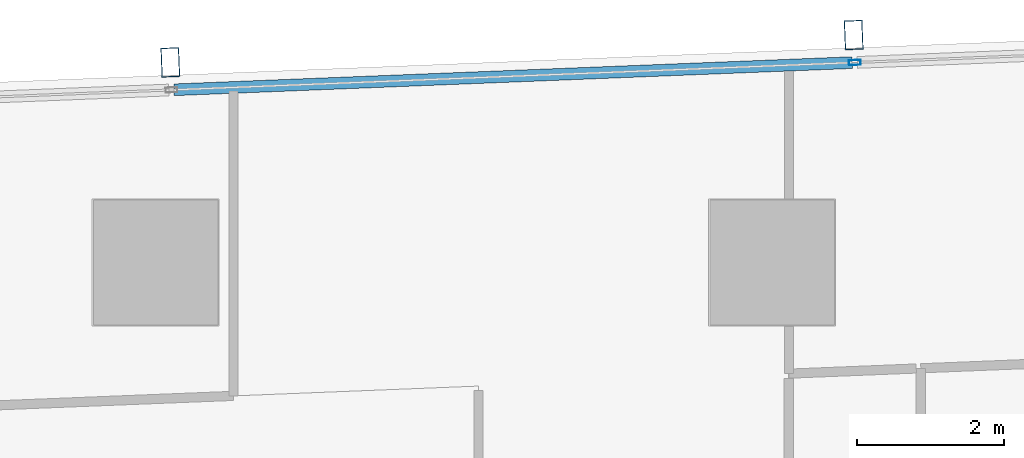
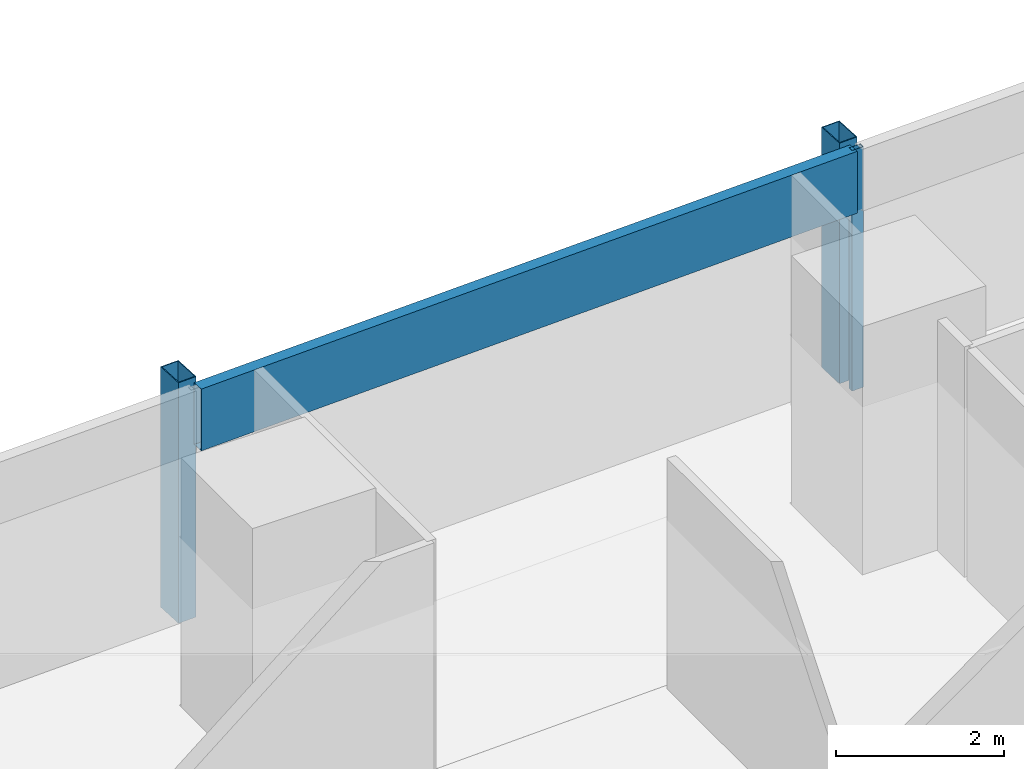
# One storey, part 17 of 40: 4 members, 1 element without a shape of its own.
"""IFC4 building model written with IfcOpenShell, lengths in metres."""

from ifc_helpers import new_model, si_unit, direction, frame, origin, origin_2d, place, context, subcontext, project, spatial, hollow_rectangle, extrude, material, material_profile, profile_set, type_object, element, aggregate, save


model = new_model("IFC4")

# Units and contexts
model_context = context("Model", 3, precision=1e-05, world=origin(), true_north=direction((0.0, 1.0)))
body_context = subcontext(model_context, "Body", "Model", "MODEL_VIEW")
ifc_project = project(units=[si_unit("LENGTHUNIT", "METRE"), si_unit("AREAUNIT", "SQUARE_METRE"), si_unit("VOLUMEUNIT", "CUBIC_METRE"), si_unit("PLANEANGLEUNIT", "RADIAN"), si_unit("MASSUNIT", "GRAM", prefix="KILO")], contexts=[model_context])

# Site, building, storey
site_placement = place(None, origin())
site = spatial("IfcSite", under=ifc_project, at=site_placement, CompositionType="ELEMENT")
building_placement = place(site_placement, origin())
building = spatial("IfcBuilding", under=site, at=building_placement, Name="Rekha Terrace Tower", CompositionType="ELEMENT")
storey_placement = place(building_placement, frame((0.0, 0.0, 121.550048828125)))
storey = spatial("IfcBuildingStorey", under=building, at=storey_placement, Name="L30", CompositionType="ELEMENT", Elevation=121.550048828125)

# Curtain wall, members
ifc_material_1 = material(Name="Aluminium framing", Category="aluminium")
curtain_wall_type = type_object("IfcCurtainWallType", Name="CW3 north unitised glazing", PredefinedType="USERDEFINED", material=ifc_material_1)
curtain_wall_placement = place(storey_placement, origin())
curtain_wall = element("IfcCurtainWall", 1, at=curtain_wall_placement, inside=storey, type_object=curtain_wall_type, Name="CW3 unitised curtain wall", ObjectType="UNITISED CURTAIN WALL", PredefinedType="USERDEFINED")
ifc_material_2 = material(Name="Steel S355 with fluorocarbon finish", Category="steel")
ifc_material_profile_1 = material_profile(ifc_material_2, hollow_rectangle(XDim=0.25, YDim=0.39990234375, WallThickness=0.012451171875, at=origin_2d()), Name="RHS400x250x12.5")
ifc_profile_set_1 = profile_set([ifc_material_profile_1], Name="Steel S355 with fluorocarbon finish")
member_type_1 = type_object("IfcMemberType", Name="BL1 facade blade RHS 400 x 250", PredefinedType="USERDEFINED", material=ifc_profile_set_1)
member_1_placement = place(storey_placement, frame((34.7109375, 61.9013671875, 0.0), z_axis=(0.0, 0.0, 1.0), x_axis=(-0.999198382632, -0.040032388711, 0.0)))
member_1 = element("IfcMember", 2, at=member_1_placement, type_object=member_type_1, Name="Facade blade", ObjectType="FACADE BLADE", PredefinedType="USERDEFINED", context=body_context, shape_type="SweptSolid", body=[
    extrude(hollow_rectangle(XDim=0.25, YDim=0.39990234375, WallThickness=0.012451171875, at=origin_2d()), origin(), (0.0, 0.0, 1.0), 3.5),
])
member_2_placement = place(storey_placement, frame((25.39892578125, 61.5283203125, 0.0), z_axis=(0.0, 0.0, 1.0), x_axis=(-0.999198382632, -0.040032388711, 0.0)))
member_2 = element("IfcMember", 3, at=member_2_placement, type_object=member_type_1, Name="Facade blade", ObjectType="FACADE BLADE", PredefinedType="USERDEFINED", context=body_context, shape_type="SweptSolid", body=[
    extrude(hollow_rectangle(XDim=0.25, YDim=0.39990234375, WallThickness=0.012451171875, at=origin_2d()), origin(), (0.0, 0.0, 1.0), 3.5),
])
ifc_material_3 = material(Name="Aluminium mullion section", Category="aluminium")
ifc_material_profile_2 = material_profile(ifc_material_3, hollow_rectangle(XDim=0.070068359375, YDim=0.159912109375, WallThickness=0.00390625, at=origin_2d()), Name="AL RHS 70x160")
ifc_profile_set_2 = profile_set([ifc_material_profile_2], Name="Aluminium mullion section")
member_type_2 = type_object("IfcMemberType", Name="CW3 mullion RHS 70 x 160", PredefinedType="MULLION", material=ifc_profile_set_2)
member_3_placement = place(storey_placement, frame((34.725830078125, 61.526611328125, 0.0), z_axis=(0.0, 0.0, 1.0), x_axis=(0.040031987119, -0.999198398721, 0.0)))
member_3 = element("IfcMember", 4, at=member_3_placement, type_object=member_type_2, Name="CW3 mullion 2", PredefinedType="MULLION", context=body_context, shape_type="SweptSolid", body=[
    extrude(hollow_rectangle(XDim=0.070068359375, YDim=0.159912109375, WallThickness=0.00390625, at=origin_2d()), origin(), (0.0, 0.0, 1.0), 3.5),
])
ifc_material_4 = material(Name="Insulated aluminium spandrel box", Category="aluminium")
ifc_material_profile_3 = material_profile(ifc_material_4, hollow_rectangle(XDim=0.159912109375, YDim=0.89990234375, WallThickness=0.0029296875, at=origin_2d()), Name="AL SPANDREL BOX 160x900")
ifc_profile_set_3 = profile_set([ifc_material_profile_3], Name="Insulated aluminium spandrel box")
member_type_3 = type_object("IfcMemberType", Name="CW3 spandrel transom 160 x 900", PredefinedType="USERDEFINED", material=ifc_profile_set_3)
member_4_placement = place(storey_placement, frame((34.69091796875, 61.525390625, 3.050048828125), z_axis=(-0.999198046754, -0.040040771263, 0.0), x_axis=(0.040040771263, -0.999198046754, 0.0)))
member_4 = element("IfcMember", 5, at=member_4_placement, type_object=member_type_3, Name="CW3 spandrel transom 2", ObjectType="TRANSOM", PredefinedType="USERDEFINED", context=body_context, shape_type="SweptSolid", body=[
    extrude(hollow_rectangle(XDim=0.159912109375, YDim=0.89990234375, WallThickness=0.0029296875, at=origin_2d()), origin(), (0.0, 0.0, 1.0), 9.24951171875),
])
aggregate(curtain_wall, [member_3, member_4, member_1, member_2])

save(model, "model.ifc")
